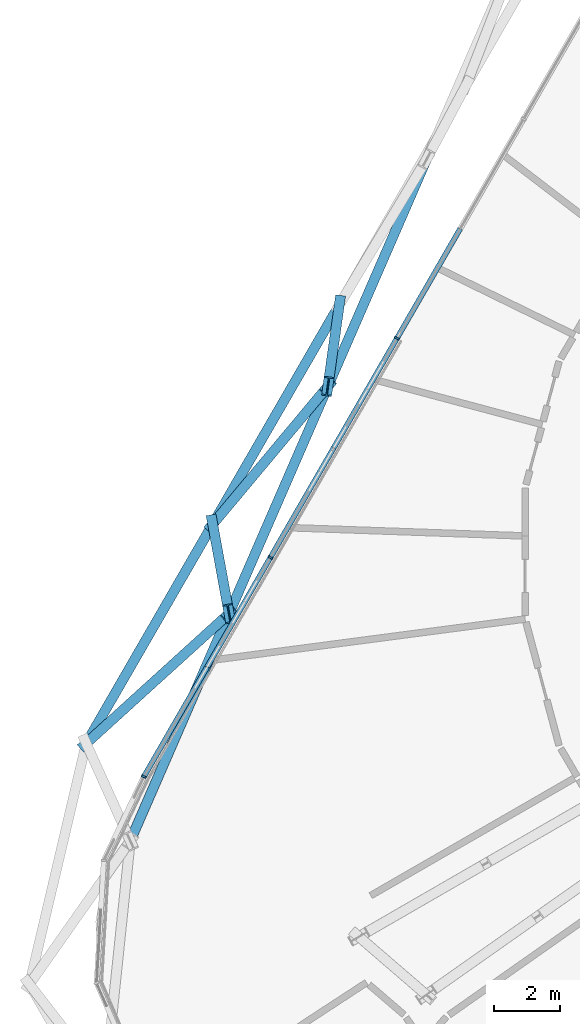
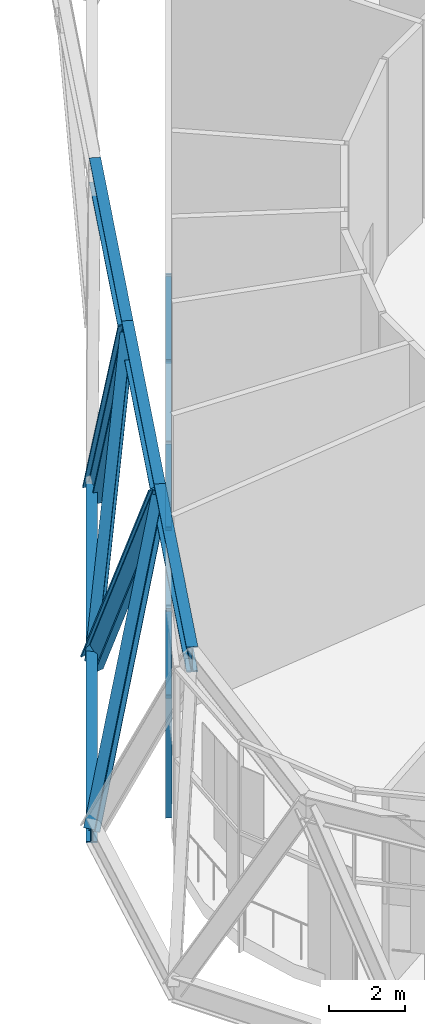
# One storey, part 4 of 29: 17 members, 2 elements without a shape of their own.
"""IFC4 building model written with IfcOpenShell, lengths in metres."""

import ifcopenshell
import ifcopenshell.guid

model = None  # the IFC model being written
_history = None  # IfcOwnerHistory: only IFC2X3 demands one
_inside = {}  # id of a spatial element -> (the spatial element, [elements in it])
_under = {}  # id of a project, library or spatial element -> (it, [spatial elements below it])
_declared = {}  # id of a project -> (the project, [libraries it declares])
_typed = {}  # id of a type object -> (the type object, [elements of that type])
_made_of = {}  # id of a material, layer set ... -> (it, [elements and type objects made of it])


def new_model(schema):
    """Start an empty IFC model of exactly this schema.

    Asked for "IFC4X3", IfcOpenShell would pick the latest addendum, in which some entities
    have other attributes; the version numbers below select the first issue.
    IFC2X3 requires an IfcOwnerHistory on every rooted entity: one is made here for all.
    """
    global model, _history
    if schema == "IFC4X3":
        model = ifcopenshell.file(schema_version=(4, 3, 0, 0))
    else:
        model = ifcopenshell.file(schema=schema)
    _inside.clear()
    _under.clear()
    _declared.clear()
    _typed.clear()
    _made_of.clear()
    _history = None
    if model.schema == "IFC2X3":
        org = make("IfcOrganization", Name="unknown")
        user = make(
            "IfcPersonAndOrganization",
            ThePerson=make("IfcPerson", FamilyName="unknown"),
            TheOrganization=org,
        )
        app = make(
            "IfcApplication",
            ApplicationDeveloper=org,
            Version="unknown",
            ApplicationFullName="unknown",
            ApplicationIdentifier="unknown",
        )
        _history = make(
            "IfcOwnerHistory",
            OwningUser=user,
            OwningApplication=app,
            ChangeAction="ADDED",
            CreationDate=0,
        )
    return model


def make(cls, **values):
    """One entity of the class cls with the attributes given. An attribute that is None is left unset."""
    return model.create_entity(
        cls, **{name: value for name, value in values.items() if value is not None}
    )


def rooted(cls, **values):
    """An entity with a GlobalId (a new one), such as an element, a storey or a relation."""
    return make(cls, GlobalId=ifcopenshell.guid.new(), OwnerHistory=_history, **values)


def si_unit(unit_type, name, prefix=None):
    """IfcSIUnit, for example si_unit("LENGTHUNIT", "METRE", prefix="MILLI")."""
    return make("IfcSIUnit", UnitType=unit_type, Prefix=prefix, Name=name)


def assignment(units):
    """IfcUnitAssignment: the units of a project."""
    return None if units is None else make("IfcUnitAssignment", Units=units)


def point(xyz):
    """IfcCartesianPoint."""
    return None if xyz is None else make("IfcCartesianPoint", Coordinates=xyz)


def direction(xyz):
    """IfcDirection."""
    return None if xyz is None else make("IfcDirection", DirectionRatios=xyz)


def frame(location, z_axis=None, x_axis=None):
    """IfcAxis2Placement3D, a coordinate frame: its origin and axes. An axis left out is left unset."""
    return make(
        "IfcAxis2Placement3D",
        Location=point(location),
        Axis=direction(z_axis),
        RefDirection=direction(x_axis),
    )


def frame_2d(location, x_axis=None):
    """IfcAxis2Placement2D, a coordinate frame in the plane: its origin and x axis."""
    return make(
        "IfcAxis2Placement2D", Location=point(location), RefDirection=direction(x_axis)
    )


def origin():
    """The frame at (0, 0, 0) with its axes left unset."""
    return frame((0.0, 0.0, 0.0))


def origin_2d():
    """The frame at (0, 0) in the plane with its x axis left unset."""
    return frame_2d((0.0, 0.0))


def place(relative_to, where):
    """IfcLocalPlacement: puts the frame where relative to a parent placement (None: the world)."""
    return make(
        "IfcLocalPlacement", PlacementRelTo=relative_to, RelativePlacement=where
    )


def context(
    kind, dimensions, precision=None, world=None, true_north=None, identifier=None
):
    """IfcGeometricRepresentationContext, for example the 3D "Model" context."""
    return make(
        "IfcGeometricRepresentationContext",
        ContextIdentifier=identifier,
        ContextType=kind,
        CoordinateSpaceDimension=dimensions,
        Precision=precision,
        WorldCoordinateSystem=world,
        TrueNorth=true_north,
    )


def subcontext(parent, identifier, kind, view, scale=None):
    """IfcGeometricRepresentationSubContext, for example "Body" below "Model"."""
    return make(
        "IfcGeometricRepresentationSubContext",
        ContextIdentifier=identifier,
        ContextType=kind,
        ParentContext=parent,
        TargetScale=scale,
        TargetView=view,
    )


def project(units=None, contexts=None):
    """IfcProject with its units and contexts."""
    return rooted(
        "IfcProject",
        Name="project",
        RepresentationContexts=contexts,
        UnitsInContext=assignment(units),
    )


def spatial(cls, under=None, at=None, **own):
    """A site, building, storey or space (cls), placed at a placement, below another one or the project."""
    s = rooted(cls, ObjectPlacement=at, **own)
    if under is not None:
        _under.setdefault(under.id(), (under, []))[1].append(s)
    return s


def profile(cls, at=None, kind="AREA", **sizes):
    """A parametric profile (cls). Its sizes go by their IFC names, for example OverallWidth=200.0."""
    return make(cls, ProfileType=kind, Position=at, **sizes)


def rectangle(**sizes):
    """IfcRectangleProfileDef."""
    return profile("IfcRectangleProfileDef", **sizes)


def i_section(**sizes):
    """IfcIShapeProfileDef."""
    return profile("IfcIShapeProfileDef", **sizes)


def extrude(swept, where, along, depth):
    """IfcExtrudedAreaSolid: the profile swept, set in the frame where, extruded along a direction by depth."""
    return make(
        "IfcExtrudedAreaSolid",
        SweptArea=swept,
        Position=where,
        ExtrudedDirection=direction(along),
        Depth=depth,
    )


def shape(context_of_items, identifier, shape_type, items):
    """IfcShapeRepresentation: the items that make up one representation, for example the "Body"."""
    return make(
        "IfcShapeRepresentation",
        ContextOfItems=context_of_items,
        RepresentationIdentifier=identifier,
        RepresentationType=shape_type,
        Items=items,
    )


def material(Name=None, Category=None):
    """IfcMaterial."""
    return make("IfcMaterial", Name=Name, Category=Category)


def layer(
    of_material, thickness, ventilated=None, Name=None, Category=None, Priority=None
):
    """IfcMaterialLayer: one layer of a wall or slab, of a material (None: an air gap)."""
    return make(
        "IfcMaterialLayer",
        Material=of_material,
        LayerThickness=thickness,
        IsVentilated=ventilated,
        Name=Name,
        Category=Category,
        Priority=Priority,
    )


def layer_set(layers, Name=None):
    """IfcMaterialLayerSet."""
    return make("IfcMaterialLayerSet", MaterialLayers=layers, LayerSetName=Name)


def material_profile(
    of_material, cross_section, Name=None, Category=None, Priority=None
):
    """IfcMaterialProfile: a cross section and its material."""
    return make(
        "IfcMaterialProfile",
        Name=Name,
        Material=of_material,
        Profile=cross_section,
        Priority=Priority,
        Category=Category,
    )


def profile_set(profiles, Name=None, composite=None):
    """IfcMaterialProfileSet."""
    return make(
        "IfcMaterialProfileSet",
        Name=Name,
        MaterialProfiles=profiles,
        CompositeProfile=composite,
    )


def made_of(thing, what):
    """Note that an element or type object is made of a material, layer set ...; save() writes the relation."""
    if what is not None:
        _made_of.setdefault(what.id(), (what, []))[1].append(thing)
    return thing


def type_object(cls, material=None, **own):
    """A type object (cls), such as IfcWallType, which elements share."""
    return made_of(rooted(cls, **own), material)


def element(
    cls,
    number,
    at=None,
    inside=None,
    cuts=None,
    type_object=None,
    material=None,
    context=None,
    identifier="Body",
    shape_type=None,
    held_by="IfcProductDefinitionShape",
    body=None,
    shapes=None,
    **own,
):
    """One element of the class cls, such as IfcWall. Its Tag is "e" and its number.

    at: its placement. inside: the storey or other place that contains it. cuts: it is an
    opening in that element (IfcRelVoidsElement). A single representation is given by context,
    identifier, shape_type and body (its items); several are given by shapes. held_by: the class
    of the entity that holds the representations. save() writes the other relations.
    """
    e = rooted(cls, Tag="e%d" % number, ObjectPlacement=at, **own)
    if body is not None:
        shapes = [shape(context, identifier, shape_type, body)]
    if shapes is not None:
        e.Representation = make(held_by, Representations=shapes)
    if inside is not None:
        _inside.setdefault(inside.id(), (inside, []))[1].append(e)
    if cuts is not None:
        rooted(
            "IfcRelVoidsElement", RelatingBuildingElement=cuts, RelatedOpeningElement=e
        )
    if type_object is not None:
        _typed.setdefault(type_object.id(), (type_object, []))[1].append(e)
    return made_of(e, material)


def aggregate(whole, parts):
    """IfcRelAggregates: a whole, such as a stair, and the parts it consists of."""
    return rooted("IfcRelAggregates", RelatingObject=whole, RelatedObjects=parts)


def save(model, path):
    """Write the relations noted so far, then the file.

    IfcRelAggregates (storeys below a building ...), IfcRelContainedInSpatialStructure (elements
    in a storey), IfcRelDefinesByType, IfcRelAssociatesMaterial and IfcRelDeclares: one each for
    every whole, place, type object, material and project.
    """
    for whole, parts in _under.values():
        aggregate(whole, parts)
    for where, things in _inside.values():
        rooted(
            "IfcRelContainedInSpatialStructure",
            RelatedElements=things,
            RelatingStructure=where,
        )
    for kind, things in _typed.values():
        rooted("IfcRelDefinesByType", RelatedObjects=things, RelatingType=kind)
    for what, things in _made_of.values():
        rooted("IfcRelAssociatesMaterial", RelatedObjects=things, RelatingMaterial=what)
    for by, libraries in _declared.values():
        rooted("IfcRelDeclares", RelatingContext=by, RelatedDefinitions=libraries)
    model.write(path)


model = new_model("IFC4")

# Units and contexts
model_context = context("Model", 3, precision=1e-05, world=origin(), true_north=direction((0.0, 1.0)))
body_context = subcontext(model_context, "Body", "Model", "MODEL_VIEW")
ifc_project = project(units=[si_unit("LENGTHUNIT", "METRE"), si_unit("AREAUNIT", "SQUARE_METRE"), si_unit("VOLUMEUNIT", "CUBIC_METRE"), si_unit("PLANEANGLEUNIT", "RADIAN"), si_unit("MASSUNIT", "GRAM", prefix="KILO")], contexts=[model_context])

# Site, building, storey
site_placement = place(None, origin())
site = spatial("IfcSite", under=ifc_project, at=site_placement, CompositionType="ELEMENT")
building_placement = place(site_placement, origin())
building = spatial("IfcBuilding", under=site, at=building_placement, Name="Spindle Arch Residences", CompositionType="ELEMENT")
storey_placement = place(building_placement, frame((0.0, 0.0, 69.89990234375)))
storey = spatial("IfcBuildingStorey", under=building, at=storey_placement, Name="L16", CompositionType="ELEMENT", Elevation=69.89990234375)

# Members
ifc_material_1 = material(Name="Steel S460ML, intumescent coating R 240", Category="steel")
ifc_material_profile_1 = material_profile(ifc_material_1, i_section(OverallWidth=0.302978515625, OverallDepth=0.81396484375, WebThickness=0.02099609375, FlangeThickness=0.0400390625, FilletRadius=0.030029296875, at=origin_2d()), Name="HEM 800")
ifc_profile_set_1 = profile_set([ifc_material_profile_1], Name="Steel S460ML, intumescent coating R 240")
member_type_1 = type_object("IfcMemberType", Name="Belt truss chord HEM 800", PredefinedType="CHORD", material=ifc_profile_set_1)
member_1_placement = place(storey_placement, frame((-20.73876953125, 7.539306640625, -0.85693359375), z_axis=(-0.499982037744, -0.86603577405, 0.0), x_axis=(0.86603577405, -0.499982037744, 0.0)))
element("IfcMember", 1, at=member_1_placement, inside=storey, type_object=member_type_1, Name="Belt truss bottom chord L16.17", PredefinedType="CHORD", context=body_context, shape_type="SweptSolid", body=[
    extrude(i_section(OverallWidth=0.302978515625, OverallDepth=0.81396484375, WebThickness=0.02099609375, FlangeThickness=0.0400390625, FilletRadius=0.030029296875, at=origin_2d()), origin(), (0.0, 0.0, 1.0), 7.679931640625),
])
member_2_placement = place(storey_placement, frame((-24.57861328125, 0.88818359375, -0.85693359375), z_axis=(-0.500005879718, -0.866022009101, 0.0), x_axis=(0.866022009101, -0.500005879718, 0.0)))
element("IfcMember", 2, at=member_2_placement, inside=storey, type_object=member_type_1, Name="Belt truss bottom chord L16.18", PredefinedType="CHORD", context=body_context, shape_type="SweptSolid", body=[
    extrude(i_section(OverallWidth=0.302978515625, OverallDepth=0.81396484375, WebThickness=0.02099609375, FlangeThickness=0.0400390625, FilletRadius=0.030029296875, at=origin_2d()), origin(), (0.0, 0.0, 1.0), 7.68017578125),
])
member_3_placement = place(storey_placement, frame((-18.087158203125, 11.9638671875, 5.943115234375), z_axis=(-0.398737984544, -0.917064893932, 0.0), x_axis=(0.917064893932, -0.398737984544, 0.0)))
element("IfcMember", 3, at=member_3_placement, inside=storey, type_object=member_type_1, Name="Belt truss top chord L16.16", PredefinedType="CHORD", context=body_context, shape_type="SweptSolid", body=[
    extrude(i_section(OverallWidth=0.302978515625, OverallDepth=0.81396484375, WebThickness=0.02099609375, FlangeThickness=0.0400390625, FilletRadius=0.030029296875, at=origin_2d()), origin(), (0.0, 0.0, 1.0), 7.518798828125),
])
member_4_placement = place(storey_placement, frame((-21.085205078125, 5.068603515625, 5.943115234375), z_axis=(-0.398749858314, -0.917059731149, 0.0), x_axis=(0.917059731149, -0.398749858314, 0.0)))
element("IfcMember", 4, at=member_4_placement, inside=storey, type_object=member_type_1, Name="Belt truss top chord L16.17", PredefinedType="CHORD", context=body_context, shape_type="SweptSolid", body=[
    extrude(i_section(OverallWidth=0.302978515625, OverallDepth=0.81396484375, WebThickness=0.02099609375, FlangeThickness=0.0400390625, FilletRadius=0.030029296875, at=origin_2d()), origin(), (0.0, 0.0, 1.0), 7.5185546875),
])
member_5_placement = place(storey_placement, frame((-24.083251953125, -1.826416015625, 5.943115234375), z_axis=(-0.398737984544, -0.917064893932, 0.0), x_axis=(0.917064893932, -0.398737984544, 0.0)))
element("IfcMember", 5, at=member_5_placement, inside=storey, type_object=member_type_1, Name="Belt truss top chord L16.18", PredefinedType="CHORD", context=body_context, shape_type="SweptSolid", body=[
    extrude(i_section(OverallWidth=0.302978515625, OverallDepth=0.81396484375, WebThickness=0.02099609375, FlangeThickness=0.0400390625, FilletRadius=0.030029296875, at=origin_2d()), origin(), (0.0, 0.0, 1.0), 7.518798828125),
])
ifc_material_2 = material(Name="Steel S460ML, intumescent coating R 240", Category="steel")
ifc_material_profile_2 = material_profile(ifc_material_2, i_section(OverallWidth=0.304931640625, OverallDepth=0.6201171875, WebThickness=0.02099609375, FlangeThickness=0.0400390625, FilletRadius=0.027099609375, at=origin_2d()), Name="HEM 600")
ifc_profile_set_2 = profile_set([ifc_material_profile_2], Name="Steel S460ML, intumescent coating R 240")
member_type_2 = type_object("IfcMemberType", Name="Belt truss diagonal HEM 600", PredefinedType="BRACE", material=ifc_profile_set_2)
member_6_placement = place(storey_placement, frame((-20.73876953125, 7.539306640625, -0.85693359375), z_axis=(-0.047828568072, -0.341102966096, 0.938808390779), x_axis=(0.990312163617, -0.138858988159, 0.0)))
element("IfcMember", 6, at=member_6_placement, inside=storey, type_object=member_type_2, Name="Belt truss diagonal L16.17.17", PredefinedType="BRACE", context=body_context, shape_type="SweptSolid", body=[
    extrude(i_section(OverallWidth=0.304931640625, OverallDepth=0.6201171875, WebThickness=0.02099609375, FlangeThickness=0.0400390625, FilletRadius=0.027099609375, at=origin_2d()), origin(), (0.0, 0.0, 1.0), 7.2431640625),
])
member_7_placement = place(storey_placement, frame((-24.57861328125, 0.88818359375, -0.85693359375), z_axis=(0.400931219992, 0.47977813124, 0.780427512085), x_axis=(-0.767342652197, 0.641237283787, 0.0)))
element("IfcMember", 7, at=member_7_placement, inside=storey, type_object=member_type_2, Name="Belt truss diagonal L16.17.18", PredefinedType="BRACE", context=body_context, shape_type="SweptSolid", body=[
    extrude(i_section(OverallWidth=0.304931640625, OverallDepth=0.6201171875, WebThickness=0.02099609375, FlangeThickness=0.0400390625, FilletRadius=0.027099609375, at=origin_2d()), origin(), (0.0, 0.0, 1.0), 8.713134765625),
])
member_8_placement = place(storey_placement, frame((-24.57861328125, 0.88818359375, -0.85693359375), z_axis=(0.067500764099, -0.369906848705, 0.926613495546), x_axis=(0.983755044202, 0.179516052225, 0.0)))
element("IfcMember", 8, at=member_8_placement, inside=storey, type_object=member_type_2, Name="Belt truss diagonal L16.18.18", PredefinedType="BRACE", context=body_context, shape_type="SweptSolid", body=[
    extrude(i_section(OverallWidth=0.304931640625, OverallDepth=0.6201171875, WebThickness=0.02099609375, FlangeThickness=0.0400390625, FilletRadius=0.027099609375, at=origin_2d()), origin(), (0.0, 0.0, 1.0), 7.338623046875),
])
member_9_placement = place(storey_placement, frame((-28.418701171875, -5.762939453125, -0.85693359375), z_axis=(0.483111263306, 0.43865784489, 0.757748508665), x_axis=(-0.672224445994, 0.740347414535, 0.0)))
element("IfcMember", 9, at=member_9_placement, inside=storey, type_object=member_type_2, Name="Belt truss diagonal L16.18.19", PredefinedType="BRACE", context=body_context, shape_type="SweptSolid", body=[
    extrude(i_section(OverallWidth=0.304931640625, OverallDepth=0.6201171875, WebThickness=0.02099609375, FlangeThickness=0.0400390625, FilletRadius=0.027099609375, at=origin_2d()), origin(), (0.0, 0.0, 1.0), 8.97412109375),
])

# Curtain wall, members
ifc_material_3 = material(Name="Aluminium bronze unitised frame with tinted glass", Category="aluminium")
ifc_layer = layer(ifc_material_3, 0.159912109375)
ifc_layer_set = layer_set([ifc_layer], Name="CW-E double-height winter garden wall")
curtain_wall_type = type_object("IfcCurtainWallType", Name="CW-E double-height winter garden wall", PredefinedType="NOTDEFINED", material=ifc_layer_set)
curtain_wall_1_placement = place(storey_placement, origin())
curtain_wall_1 = element("IfcCurtainWall", 10, at=curtain_wall_1_placement, inside=storey, type_object=curtain_wall_type, Name="CW-E L16 run 4", PredefinedType="NOTDEFINED")
ifc_material_4 = material(Name="Aluminium bronze anodised mullion", Category="aluminium")
ifc_material_profile_3 = material_profile(ifc_material_4, rectangle(XDim=0.159912109375, YDim=0.06005859375, at=origin_2d()), Name="MU 60x160")
ifc_profile_set_3 = profile_set([ifc_material_profile_3], Name="Aluminium bronze anodised mullion")
member_type_3 = type_object("IfcMemberType", Name="Bronze mullion 60x160", PredefinedType="MULLION", material=ifc_profile_set_3)
member_10_placement = place(storey_placement, frame((-18.9892578125, 6.529296875, -0.449951171875), z_axis=(0.0, 0.0, 1.0), x_axis=(0.866025403784, -0.5, 0.0)))
member_10 = element("IfcMember", 11, at=member_10_placement, type_object=member_type_3, Name="CW-E mullion 16", PredefinedType="MULLION", context=body_context, shape_type="SweptSolid", body=[
    extrude(rectangle(XDim=0.159912109375, YDim=0.06005859375, at=origin_2d()), origin(), (0.0, 0.0, 1.0), 6.679931640625),
])
member_11_placement = place(storey_placement, frame((-22.829345703125, -0.121826171875, -0.449951171875), z_axis=(0.0, 0.0, 1.0), x_axis=(0.866025403784, -0.5, 0.0)))
member_11 = element("IfcMember", 12, at=member_11_placement, type_object=member_type_3, Name="CW-E mullion 17", PredefinedType="MULLION", context=body_context, shape_type="SweptSolid", body=[
    extrude(rectangle(XDim=0.159912109375, YDim=0.06005859375, at=origin_2d()), origin(), (0.0, 0.0, 1.0), 6.679931640625),
])

# Curtain wall, member
curtain_wall_2_placement = place(storey_placement, origin())
curtain_wall_2 = element("IfcCurtainWall", 13, at=curtain_wall_2_placement, inside=storey, type_object=curtain_wall_type, Name="CW-E L16 run 5", PredefinedType="NOTDEFINED")
member_12_placement = place(storey_placement, frame((-26.66943359375, -6.77294921875, -0.449951171875), z_axis=(0.0, 0.0, 1.0), x_axis=(0.902111889092, -0.431502189519, 0.0)))
member_12 = element("IfcMember", 14, at=member_12_placement, type_object=member_type_3, Name="CW-E mullion 00", PredefinedType="MULLION", context=body_context, shape_type="SweptSolid", body=[
    extrude(rectangle(XDim=0.159912109375, YDim=0.06005859375, at=origin_2d()), origin(), (0.0, 0.0, 1.0), 6.679931640625),
])
aggregate(curtain_wall_2, [member_12])

# Member
ifc_material_5 = material(Name="Aluminium bronze anodised transom", Category="aluminium")
ifc_material_profile_4 = material_profile(ifc_material_5, rectangle(XDim=0.159912109375, YDim=0.1201171875, at=origin_2d()), Name="TR 120x160")
ifc_profile_set_4 = profile_set([ifc_material_profile_4], Name="Aluminium bronze anodised transom")
member_type_4 = type_object("IfcMemberType", Name="Bronze transom 120x160", PredefinedType="USERDEFINED", material=ifc_profile_set_4)
member_13_placement = place(storey_placement, frame((-17.0693359375, 9.85498046875, 3.400146484375), z_axis=(-0.500005339912, -0.866022320763, 0.0), x_axis=(0.866022320763, -0.500005339912, 0.0)))
member_13 = element("IfcMember", 15, at=member_13_placement, type_object=member_type_4, Name="CW-E transom 15Bm", ObjectType="TRANSOM", PredefinedType="USERDEFINED", context=body_context, shape_type="SweptSolid", body=[
    extrude(rectangle(XDim=0.159912109375, YDim=0.1201171875, at=origin_2d()), origin(), (0.0, 0.0, 1.0), 3.81005859375),
])

member_14_placement = place(storey_placement, frame((-19.00439453125, 6.50341796875, 3.400146484375), z_axis=(-0.500005339912, -0.866022320763, 0.0), x_axis=(0.866022320763, -0.500005339912, 0.0)))
member_14 = element("IfcMember", 16, at=member_14_placement, type_object=member_type_4, Name="CW-E transom 16Am", ObjectType="TRANSOM", PredefinedType="USERDEFINED", context=body_context, shape_type="SweptSolid", body=[
    extrude(rectangle(XDim=0.159912109375, YDim=0.1201171875, at=origin_2d()), origin(), (0.0, 0.0, 1.0), 3.81005859375),
])

member_15_placement = place(storey_placement, frame((-20.909423828125, 3.203857421875, 3.400146484375), z_axis=(-0.500005339912, -0.866022320763, 0.0), x_axis=(0.866022320763, -0.500005339912, 0.0)))
member_15 = element("IfcMember", 17, at=member_15_placement, type_object=member_type_4, Name="CW-E transom 16Bm", ObjectType="TRANSOM", PredefinedType="USERDEFINED", context=body_context, shape_type="SweptSolid", body=[
    extrude(rectangle(XDim=0.159912109375, YDim=0.1201171875, at=origin_2d()), origin(), (0.0, 0.0, 1.0), 3.81005859375),
])

member_16_placement = place(storey_placement, frame((-22.84423828125, -0.147705078125, 3.400146484375), z_axis=(-0.500005339912, -0.866022320763, 0.0), x_axis=(0.866022320763, -0.500005339912, 0.0)))
member_16 = element("IfcMember", 18, at=member_16_placement, type_object=member_type_4, Name="CW-E transom 17Am", ObjectType="TRANSOM", PredefinedType="USERDEFINED", context=body_context, shape_type="SweptSolid", body=[
    extrude(rectangle(XDim=0.159912109375, YDim=0.1201171875, at=origin_2d()), origin(), (0.0, 0.0, 1.0), 3.81005859375),
])

member_17_placement = place(storey_placement, frame((-24.749267578125, -3.447265625, 3.400146484375), z_axis=(-0.500005339912, -0.866022320763, 0.0), x_axis=(0.866022320763, -0.500005339912, 0.0)))
member_17 = element("IfcMember", 19, at=member_17_placement, type_object=member_type_4, Name="CW-E transom 17Bm", ObjectType="TRANSOM", PredefinedType="USERDEFINED", context=body_context, shape_type="SweptSolid", body=[
    extrude(rectangle(XDim=0.159912109375, YDim=0.1201171875, at=origin_2d()), origin(), (0.0, 0.0, 1.0), 3.81005859375),
])

aggregate(curtain_wall_1, [member_13, member_10, member_14, member_15, member_11, member_16, member_17])

save(model, "model.ifc")
